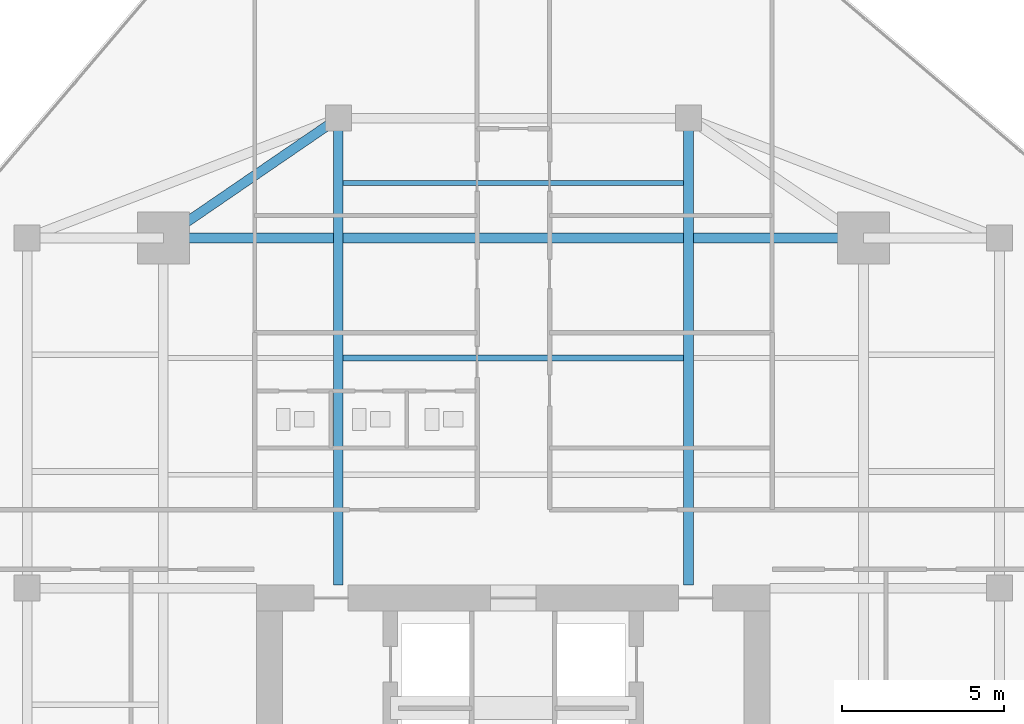
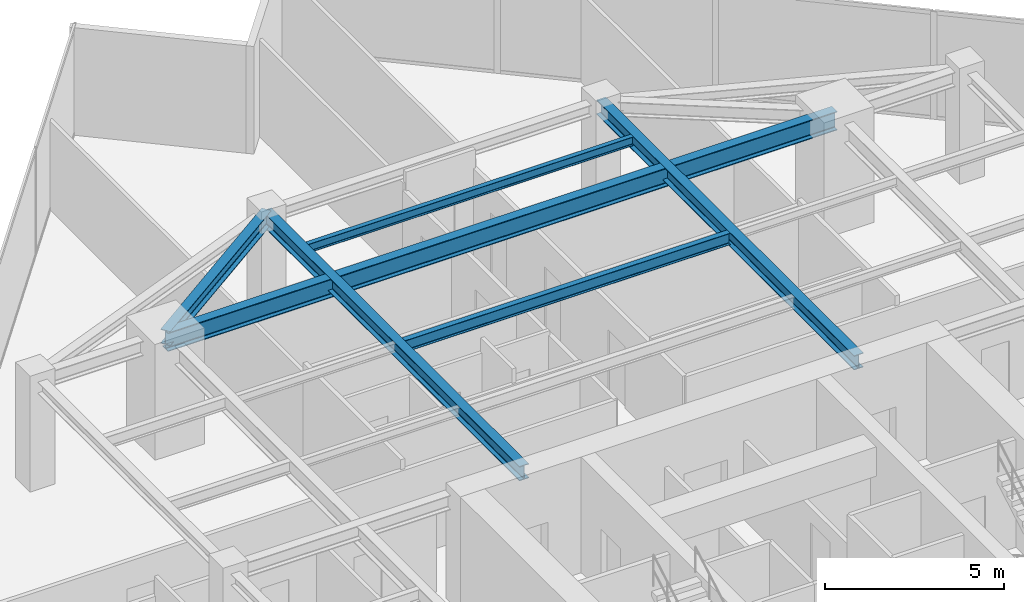
# One storey, part 16 of 25: 6 beams.
"""IFC4 building model written with IfcOpenShell, lengths in metres."""

from ifc_helpers import new_model, si_unit, direction, frame, origin, origin_2d, place, context, subcontext, project, spatial, i_section, extrude, source, transform, mapped, material, material_profile, profile_set, type_object, type_shapes, element, save


model = new_model("IFC4")

# Units and contexts
model_context = context("Model", 3, precision=1e-05, world=origin(), true_north=direction((0.0, 1.0)))
body_context = subcontext(model_context, "Body", "Model", "MODEL_VIEW")
ifc_project = project(units=[si_unit("LENGTHUNIT", "METRE"), si_unit("AREAUNIT", "SQUARE_METRE"), si_unit("VOLUMEUNIT", "CUBIC_METRE"), si_unit("PLANEANGLEUNIT", "RADIAN"), si_unit("MASSUNIT", "GRAM", prefix="KILO")], contexts=[model_context])

# Site, building, storey
site_placement = place(None, origin())
site = spatial("IfcSite", under=ifc_project, at=site_placement, CompositionType="ELEMENT")
building_placement = place(site_placement, origin())
building = spatial("IfcBuilding", under=site, at=building_placement, Name="Krantzveldt Concourse Tower", CompositionType="ELEMENT")
storey_placement = place(building_placement, frame((0.0, 0.0, 211.25)))
storey = spatial("IfcBuildingStorey", under=building, at=storey_placement, Name="L51", CompositionType="ELEMENT", Elevation=211.25)

# Beams
ifc_material = material(Name="Steel S355JR", Category="steel")
ifc_material_profile_1 = material_profile(ifc_material, i_section(OverallWidth=0.300048828125, OverallDepth=0.639892578125, WebThickness=0.013427734375, FlangeThickness=0.02587890625, FilletRadius=0.027099609375, at=origin_2d()), Name="Steel S355JR", Category="steel")
ifc_profile_set_1 = profile_set([ifc_material_profile_1], Name="Steel S355JR - HEA 650")
beam_type_1 = type_object("IfcBeamType", Name="BM-B-HEA650", PredefinedType="BEAM", material=ifc_profile_set_1)
shared_shape_1 = source(origin(), body_context, "Body", "SweptSolid", [
    extrude(i_section(OverallWidth=0.300048828125, OverallDepth=0.639892578125, WebThickness=0.013427734375, FlangeThickness=0.02587890625, FilletRadius=0.027099609375, at=origin_2d()), origin(), (0.0, 0.0, 1.0), 21.60009765625),
])
type_shapes(beam_type_1, [shared_shape_1])
beam_1_placement = place(storey_placement, frame((25.199951171875, 37.5, 3.35009765625), z_axis=(1.0, 0.0, 0.0), x_axis=(0.0, 1.0, 0.0)))
element("IfcBeam", 1, at=beam_1_placement, inside=storey, type_object=beam_type_1, Name="L51 Tower Girder BG-MN", PredefinedType="BEAM", context=body_context, shape_type="MappedRepresentation", body=[
    mapped(shared_shape_1, transform((0.0, 0.0, 0.0), x_axis=(1.0, 0.0, 0.0), y_axis=(0.0, 1.0, 0.0), z_axis=(0.0, 0.0, 1.0), scale=1.0)),
])
ifc_material_profile_2 = material_profile(ifc_material, i_section(OverallWidth=0.179931640625, OverallDepth=0.39990234375, WebThickness=0.008544921875, FlangeThickness=0.013427734375, FilletRadius=0.02099609375, at=origin_2d()), Name="Steel S355JR", Category="steel")
ifc_profile_set_2 = profile_set([ifc_material_profile_2], Name="Steel S355JR - IPE 400")
beam_type_2 = type_object("IfcBeamType", Name="BM-J-IPE400", PredefinedType="JOIST", material=ifc_profile_set_2)
shared_shape_2 = source(origin(), body_context, "Body", "SweptSolid", [
    extrude(i_section(OverallWidth=0.179931640625, OverallDepth=0.39990234375, WebThickness=0.008544921875, FlangeThickness=0.013427734375, FilletRadius=0.02099609375, at=origin_2d()), origin(), (0.0, 0.0, 1.0), 10.5),
])
type_shapes(beam_type_2, [shared_shape_2])
beam_2_placement = place(storey_placement, frame((30.75, 33.800048828125, 3.469970703125), z_axis=(1.0, 0.0, 0.0), x_axis=(0.0, 1.0, 0.0)))
element("IfcBeam", 2, at=beam_2_placement, inside=storey, type_object=beam_type_2, Name="L51 Secondary Floor Joist JN-C2", PredefinedType="JOIST", context=body_context, shape_type="MappedRepresentation", body=[
    mapped(shared_shape_2, transform((0.0, 0.0, 0.0), x_axis=(1.0, 0.0, 0.0), y_axis=(0.0, 1.0, 0.0), z_axis=(0.0, 0.0, 1.0), scale=1.0)),
])
ifc_material_profile_3 = material_profile(ifc_material, i_section(OverallWidth=0.300048828125, OverallDepth=0.489990234375, WebThickness=0.011962890625, FlangeThickness=0.02294921875, FilletRadius=0.027099609375, at=origin_2d()), Name="Steel S355JR", Category="steel")
ifc_profile_set_3 = profile_set([ifc_material_profile_3], Name="Steel S355JR - HEA 500")
beam_type_3 = type_object("IfcBeamType", Name="BM-B-HEA500", PredefinedType="BEAM", material=ifc_profile_set_3)
shared_shape_3 = source(origin(), body_context, "Body", "SweptSolid", [
    extrude(i_section(OverallWidth=0.300048828125, OverallDepth=0.489990234375, WebThickness=0.011962890625, FlangeThickness=0.02294921875, FilletRadius=0.027099609375, at=origin_2d()), origin(), (0.0, 0.0, 1.0), 14.39990234375),
])
for number, where, z_axis, x_axis, name in (
    (3, (30.60009765625, 26.800048828125, 3.425048828125), (0.0, 1.0, 0.0), (-1.0, 0.0, 0.0), "L51 Tower Girder BG-CNW"),
    (4, (41.39990234375, 26.800048828125, 3.425048828125), (0.0, 1.0, 0.0), (-1.0, 0.0, 0.0), "L51 Tower Girder BG-CNE"),
):
    element("IfcBeam", number, at=place(storey_placement, frame(where, z_axis=z_axis, x_axis=x_axis)), inside=storey, type_object=beam_type_3, Name=name, PredefinedType="BEAM", context=body_context, shape_type="MappedRepresentation", body=[
        mapped(shared_shape_3, transform((0.0, 0.0, 0.0), x_axis=(1.0, 0.0, 0.0), y_axis=(0.0, 1.0, 0.0), z_axis=(0.0, 0.0, 1.0), scale=1.0)),
    ])
shared_shape_4 = source(origin(), body_context, "Body", "SweptSolid", [
    extrude(i_section(OverallWidth=0.300048828125, OverallDepth=0.489990234375, WebThickness=0.011962890625, FlangeThickness=0.02294921875, FilletRadius=0.027099609375, at=origin_2d()), origin(), (0.0, 0.0, 1.0), 6.546142578125),
])
type_shapes(beam_type_3, [shared_shape_3, shared_shape_4])
beam_3_placement = place(storey_placement, frame((25.199951171875, 37.5, 3.425048828125), z_axis=(0.824942999484, 0.565215930068, 0.0), x_axis=(-0.565215930068, 0.824942999484, 0.0)))
element("IfcBeam", 5, at=beam_3_placement, inside=storey, type_object=beam_type_3, Name="L51 Tower Girder BR-RL4", PredefinedType="BEAM", context=body_context, shape_type="MappedRepresentation", body=[
    mapped(shared_shape_4, transform((0.0, 0.0, 0.0), x_axis=(1.0, 0.0, 0.0), y_axis=(0.0, 1.0, 0.0), z_axis=(0.0, 0.0, 1.0), scale=1.0)),
])
ifc_material_profile_4 = material_profile(ifc_material, i_section(OverallWidth=0.14990234375, OverallDepth=0.300048828125, WebThickness=0.007080078125, FlangeThickness=0.0107421875, FilletRadius=0.014892578125, at=origin_2d()), Name="Steel S355JR", Category="steel")
ifc_profile_set_4 = profile_set([ifc_material_profile_4], Name="Steel S355JR - IPE 300")
beam_type_4 = type_object("IfcBeamType", Name="BM-J-IPE300", PredefinedType="JOIST", material=ifc_profile_set_4)
shared_shape_5 = source(origin(), body_context, "Body", "SweptSolid", [
    extrude(i_section(OverallWidth=0.14990234375, OverallDepth=0.300048828125, WebThickness=0.007080078125, FlangeThickness=0.0107421875, FilletRadius=0.014892578125, at=origin_2d()), origin(), (0.0, 0.0, 1.0), 10.5),
])
type_shapes(beam_type_4, [shared_shape_5])
beam_4_placement = place(storey_placement, frame((30.75, 39.199951171875, 3.52001953125), z_axis=(1.0, 0.0, 0.0), x_axis=(0.0, 1.0, 0.0)))
element("IfcBeam", 6, at=beam_4_placement, inside=storey, type_object=beam_type_4, Name="L51 Secondary Floor Joist JN-C3", PredefinedType="JOIST", context=body_context, shape_type="MappedRepresentation", body=[
    mapped(shared_shape_5, transform((0.0, 0.0, 0.0), x_axis=(1.0, 0.0, 0.0), y_axis=(0.0, 1.0, 0.0), z_axis=(0.0, 0.0, 1.0), scale=1.0)),
])

save(model, "model.ifc")
